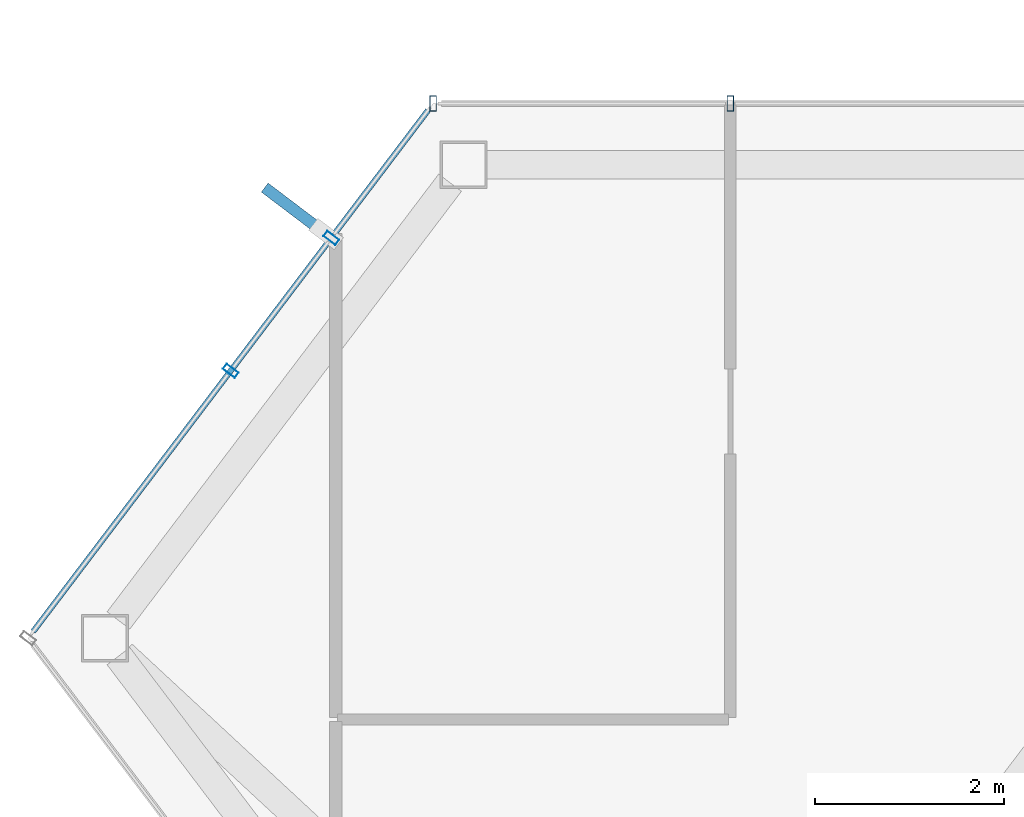
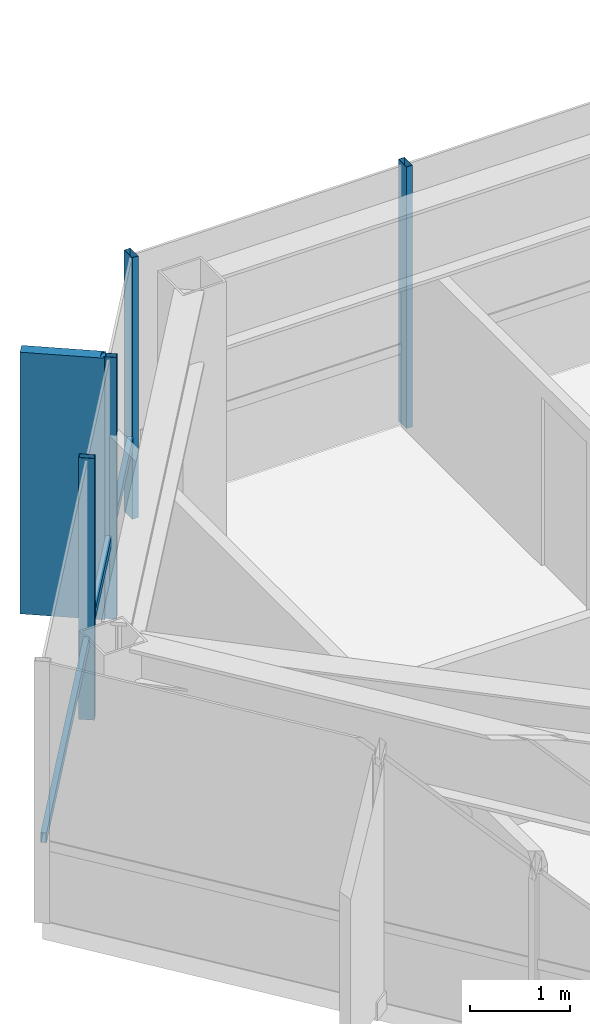
# One storey, part 10 of 25: 6 members, 2 elements without a shape of their own.
"""IFC4 building model written with IfcOpenShell, lengths in metres."""

from ifc_helpers import new_model, si_unit, direction, frame, origin, origin_2d, place, context, subcontext, project, spatial, rectangle, hollow_rectangle, extrude, material, layer, layer_set, material_profile, profile_set, type_object, element, aggregate, save


model = new_model("IFC4")

# Units and contexts
model_context = context("Model", 3, precision=1e-05, world=origin(), true_north=direction((0.0, 1.0)))
body_context = subcontext(model_context, "Body", "Model", "MODEL_VIEW")
ifc_project = project(units=[si_unit("LENGTHUNIT", "METRE"), si_unit("AREAUNIT", "SQUARE_METRE"), si_unit("VOLUMEUNIT", "CUBIC_METRE"), si_unit("PLANEANGLEUNIT", "RADIAN"), si_unit("MASSUNIT", "GRAM", prefix="KILO")], contexts=[model_context])

# Site, building, storey
site_placement = place(None, origin())
site = spatial("IfcSite", under=ifc_project, at=site_placement, CompositionType="ELEMENT")
building_placement = place(site_placement, origin())
building = spatial("IfcBuilding", under=site, at=building_placement, Name="Zarrinselat Tower", CompositionType="ELEMENT")
storey_placement = place(building_placement, frame((0.0, 0.0, 261.800048828125)))
storey = spatial("IfcBuildingStorey", under=building, at=storey_placement, Name="L66", CompositionType="ELEMENT", Elevation=261.800048828125)

# Curtain wall, members
ifc_material_1 = material(Name="Extruded Aluminium Alloy EN AW-6063 T6", Category="aluminium")
ifc_layer = layer(ifc_material_1, 0.169921875)
ifc_layer_set = layer_set([ifc_layer], Name="Extruded Aluminium Alloy EN AW-6063 T6")
curtain_wall_type = type_object("IfcCurtainWallType", Name="CWS-RES", PredefinedType="NOTDEFINED", material=ifc_layer_set)
curtain_wall_1_placement = place(storey_placement, origin())
curtain_wall_1 = element("IfcCurtainWall", 1, at=curtain_wall_1_placement, inside=storey, type_object=curtain_wall_type, Name="L66 Unitised Curtain Wall CW-L66-E01", PredefinedType="NOTDEFINED")
ifc_material_2 = material(Name="Extruded Aluminium Alloy EN AW-6063 T6", Category="aluminium")
ifc_material_profile_1 = material_profile(ifc_material_2, hollow_rectangle(XDim=0.070068359375, YDim=0.159912109375, WallThickness=0.00390625, at=origin_2d()), Name="RHS 160x70x4")
ifc_profile_set_1 = profile_set([ifc_material_profile_1], Name="Extruded Aluminium Alloy EN AW-6063 T6")
member_type_1 = type_object("IfcMemberType", Name="MEM-CW-MUL2", PredefinedType="MULLION", material=ifc_profile_set_1)
member_1_placement = place(storey_placement, frame((23.3037109375, 47.86669921875, 0.0), z_axis=(0.0, 0.0, 1.0), x_axis=(-1.0, 0.0, 0.0)))
member_1 = element("IfcMember", 2, at=member_1_placement, type_object=member_type_1, Name="CW-L66-E01 Mullion 10", PredefinedType="MULLION", context=body_context, shape_type="SweptSolid", body=[
    extrude(hollow_rectangle(XDim=0.070068359375, YDim=0.159912109375, WallThickness=0.00390625, at=origin_2d()), origin(), (0.0, 0.0, 1.0), 3.179931640625),
])
member_2_placement = place(storey_placement, frame((20.1533203125, 47.86669921875, 0.0), z_axis=(0.0, 0.0, 1.0), x_axis=(-1.0, 0.0, 0.0)))
member_2 = element("IfcMember", 3, at=member_2_placement, type_object=member_type_1, Name="CW-L66-E01 Mullion 11", PredefinedType="MULLION", context=body_context, shape_type="SweptSolid", body=[
    extrude(hollow_rectangle(XDim=0.070068359375, YDim=0.159912109375, WallThickness=0.00390625, at=origin_2d()), origin(), (0.0, 0.0, 1.0), 3.179931640625),
])
aggregate(curtain_wall_1, [member_1, member_2])

curtain_wall_2_placement = place(storey_placement, origin())
curtain_wall_2 = element("IfcCurtainWall", 4, at=curtain_wall_2_placement, inside=storey, type_object=curtain_wall_type, Name="L66 Unitised Curtain Wall CW-L66-E02", PredefinedType="NOTDEFINED")
member_3_placement = place(storey_placement, frame((19.07373046875, 46.441650390625, 0.0), z_axis=(0.0, 0.0, 1.0), x_axis=(-0.60385470922, -0.797094404793, 0.0)))
member_3 = element("IfcMember", 5, at=member_3_placement, type_object=member_type_1, Name="CW-L66-E02 Mullion 1", PredefinedType="MULLION", context=body_context, shape_type="SweptSolid", body=[
    extrude(hollow_rectangle(XDim=0.070068359375, YDim=0.159912109375, WallThickness=0.00390625, at=origin_2d()), origin(), (0.0, 0.0, 1.0), 3.179931640625),
])
member_4_placement = place(storey_placement, frame((18.006591796875, 45.033203125, 0.0), z_axis=(0.0, 0.0, 1.0), x_axis=(-0.60385470922, -0.797094404793, 0.0)))
member_4 = element("IfcMember", 6, at=member_4_placement, type_object=member_type_1, Name="CW-L66-E02 Mullion 2", PredefinedType="MULLION", context=body_context, shape_type="SweptSolid", body=[
    extrude(hollow_rectangle(XDim=0.070068359375, YDim=0.159912109375, WallThickness=0.00390625, at=origin_2d()), origin(), (0.0, 0.0, 1.0), 3.179931640625),
])
ifc_material_3 = material(Name="Extruded Aluminium Alloy EN AW-6063 T6", Category="aluminium")
ifc_material_profile_2 = material_profile(ifc_material_3, hollow_rectangle(XDim=0.06005859375, YDim=0.1201171875, WallThickness=0.00390625, at=origin_2d()), Name="RHS 120x60x4")
ifc_profile_set_2 = profile_set([ifc_material_profile_2], Name="Extruded Aluminium Alloy EN AW-6063 T6")
member_type_2 = type_object("IfcMemberType", Name="MEM-CW-TRN2", PredefinedType="USERDEFINED", material=ifc_profile_set_2)
member_5_placement = place(storey_placement, frame((20.09912109375, 47.794921875, 0.949951171875), z_axis=(-0.603876679936, -0.797077759964, 0.0), x_axis=(0.797077759964, -0.603876679936, 0.0)))
member_5 = element("IfcMember", 7, at=member_5_placement, type_object=member_type_2, Name="CW-L66-E02 Transom 1", ObjectType="TRANSOM", PredefinedType="USERDEFINED", context=body_context, shape_type="SweptSolid", body=[
    extrude(hollow_rectangle(XDim=0.06005859375, YDim=0.1201171875, WallThickness=0.00390625, at=origin_2d()), origin(), (0.0, 0.0, 1.0), 6.929931640625),
])
ifc_material_4 = material(Name="Honed Cream Travertine Stone", Category="masonry")
ifc_material_profile_3 = material_profile(ifc_material_4, rectangle(XDim=0.1201171875, YDim=0.85009765625, at=origin_2d()), Name="FIN 850x120")
ifc_profile_set_3 = profile_set([ifc_material_profile_3], Name="Honed Cream Travertine Stone")
member_type_3 = type_object("IfcMemberType", Name="MEM-STONE-FIN", PredefinedType="USERDEFINED", material=ifc_profile_set_3)
member_6_placement = place(storey_placement, frame((18.70703125, 46.719482421875, 0.0), z_axis=(0.0, 0.0, 1.0), x_axis=(0.60385470922, 0.797094404793, 0.0)))
member_6 = element("IfcMember", 8, at=member_6_placement, type_object=member_type_3, Name="L66 Stone Shading Fin CW-L66-E02-01", ObjectType="FIN", PredefinedType="USERDEFINED", context=body_context, shape_type="SweptSolid", body=[
    extrude(rectangle(XDim=0.1201171875, YDim=0.85009765625, at=origin_2d()), origin(), (0.0, 0.0, 1.0), 3.179931640625),
])
aggregate(curtain_wall_2, [member_3, member_6, member_4, member_5])

save(model, "model.ifc")
